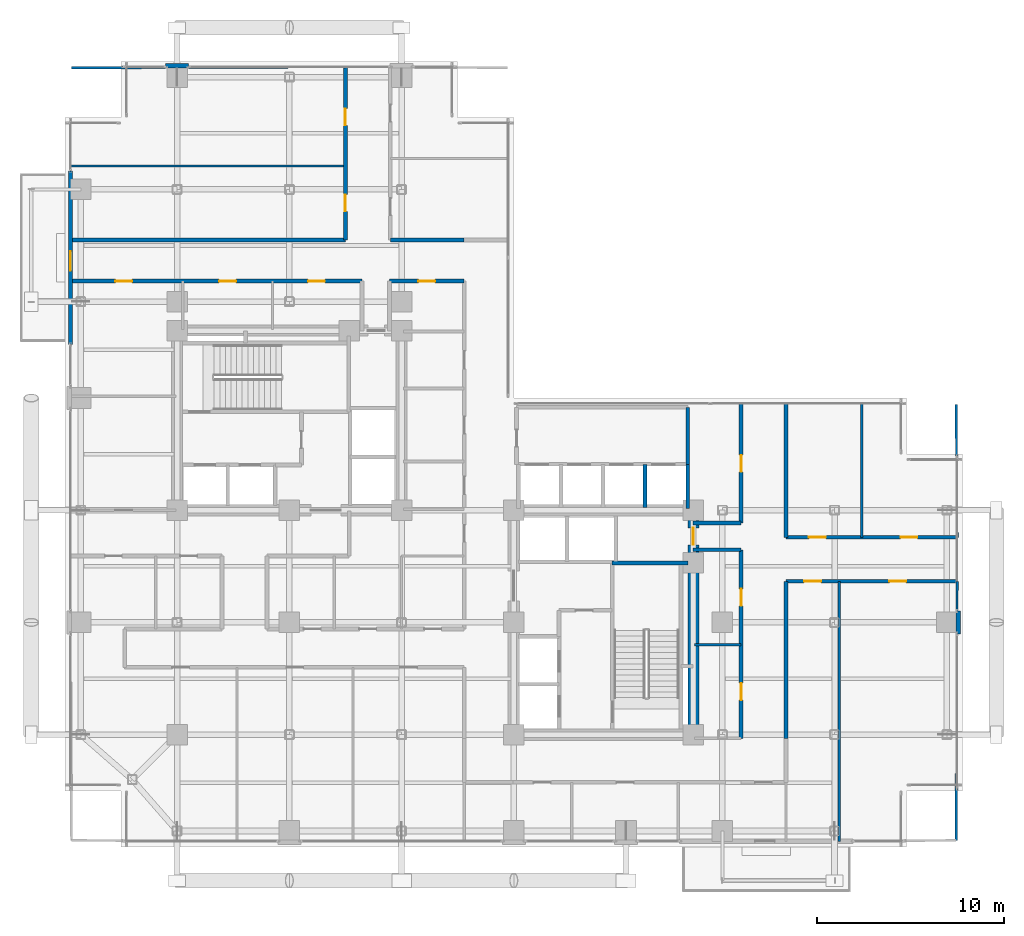
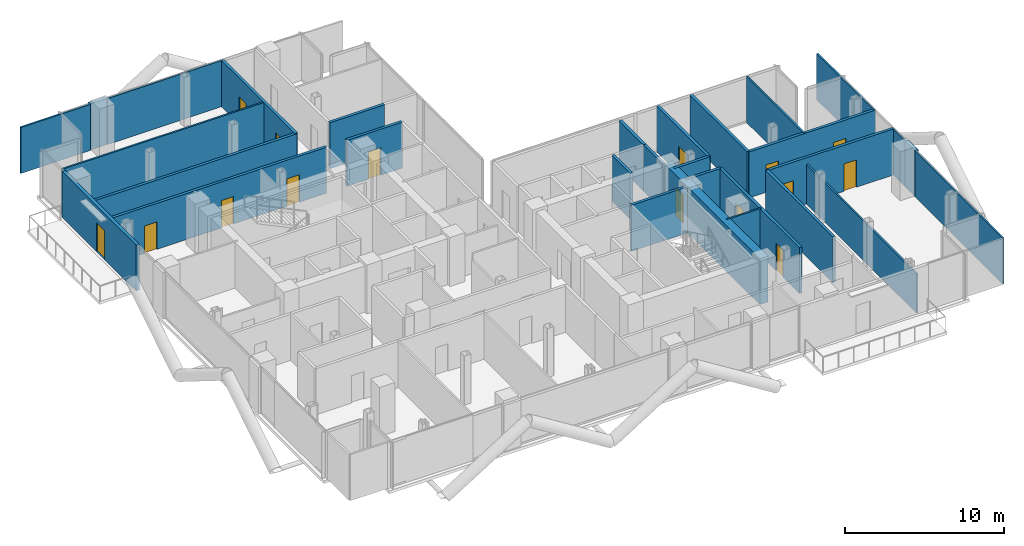
# One storey, part 24 of 28: 30 walls, 15 doors, 15 openings.
"""IFC4 building model written with IfcOpenShell, lengths in metres."""

from ifc_helpers import new_model, si_unit, direction, frame, frame_2d, origin, place, context, subcontext, project, spatial, rectangle, extrude, material, layer, layer_set, type_object, element, fill, save


model = new_model("IFC4")

# Units and contexts
model_context = context("Model", 3, precision=1e-05, world=origin(), true_north=direction((0.0, 1.0)))
body_context = subcontext(model_context, "Body", "Model", "MODEL_VIEW")
ifc_project = project(units=[si_unit("LENGTHUNIT", "METRE"), si_unit("AREAUNIT", "SQUARE_METRE"), si_unit("VOLUMEUNIT", "CUBIC_METRE"), si_unit("PLANEANGLEUNIT", "RADIAN"), si_unit("MASSUNIT", "GRAM", prefix="KILO"), si_unit("THERMODYNAMICTEMPERATUREUNIT", "KELVIN"), si_unit("POWERUNIT", "WATT")], contexts=[model_context])

# Site, building, storey
site_placement = place(None, origin())
site = spatial("IfcSite", under=ifc_project, at=site_placement, CompositionType="ELEMENT")
building_placement = place(site_placement, origin())
building = spatial("IfcBuilding", under=site, at=building_placement, Name="Svarakhadi Broadcast Tower", CompositionType="ELEMENT")
storey_placement = place(building_placement, frame((0.0, 0.0, 149.39990234375)))
storey = spatial("IfcBuildingStorey", under=building, at=storey_placement, Name="L36", CompositionType="ELEMENT", Elevation=149.39990234375)

# Wall, opening, door
ifc_material_1 = material(Name="Concrete C40/50 (IS 456 M50)", Category="concrete")
ifc_layer_1 = layer(ifc_material_1, 0.239990234375)
ifc_layer_set_1 = layer_set([ifc_layer_1], Name="Concrete C40/50 (IS 456 M50)")
wall_type_1 = type_object("IfcWallType", Name="Wall_Ext_240", PredefinedType="SOLIDWALL", material=ifc_layer_set_1)
wall_1_placement = place(storey_placement, frame((0.300048828125, 26.85498046875, 0.0), z_axis=(0.0, 0.0, 1.0), x_axis=(0.0, 1.0, 0.0)))
wall_1 = element("IfcWall", 1, at=wall_1_placement, inside=storey, type_object=wall_type_1, Name="L36 West Tree Balcony Spandrel Wall", PredefinedType="SOLIDWALL", context=body_context, shape_type="SweptSolid", body=[
    extrude(rectangle(XDim=9.2900390625, YDim=0.239990234375, at=frame_2d((4.64501953125, 0.0))), origin(), (0.0, 0.0, 1.0), 3.525146484375),
])
opening_1_placement = place(wall_1_placement, frame((3.945068359375, 0.0, 0.0)))
opening_1 = element("IfcOpeningElement", 2, at=opening_1_placement, cuts=wall_1, Name="Opening ED-05", PredefinedType="OPENING", context=body_context, shape_type="SweptSolid", body=[
    extrude(rectangle(XDim=1.050048828125, YDim=2.199951171875, at=frame_2d((0.52490234375, 1.10009765625))), frame((0.0, 0.1298828125, 0.0), z_axis=(0.0, -1.0, 0.0), x_axis=(1.0, 0.0, 0.0)), (0.0, 0.0, 1.0), 0.260009765625),
])
ifc_material_2 = material(Name="Anodised Bronze Aluminium AA 6063-T6", Category="aluminium")
door_type_1 = type_object("IfcDoorType", Name="Door_Ext_ED05", OperationType="SINGLE_SWING_LEFT", PredefinedType="DOOR", material=ifc_material_2)
door_1_placement = place(opening_1_placement, origin())
door_1 = element("IfcDoor", 3, at=door_1_placement, inside=storey, type_object=door_type_1, Name="L36 West Tree Balcony Door", OperationType="SINGLE_SWING_LEFT", OverallHeight=2.199951171875, OverallWidth=1.050048828125, PredefinedType="DOOR", context=body_context, shape_type="SweptSolid", body=[
    extrude(rectangle(XDim=1.050048828125, YDim=2.199951171875, at=frame_2d((0.52490234375, 1.10009765625))), frame((0.0, 0.02490234375, 0.0), z_axis=(0.0, -1.0, 0.0), x_axis=(1.0, 0.0, 0.0)), (0.0, 0.0, 1.0), 0.050048828125),
])
fill(opening_1, door_1)

# Walls
for number, where, z_axis, x_axis, name in (
    (4, (5.385009765625, 41.760009765625, 0.0), (0.0, 0.0, 1.0), (1.0, 0.0, 0.0), "L36 Perimeter Bronze Spandrel Closure Wall 03"),
    (5, (47.760009765625, 12.614990234375, 0.0), (0.0, 0.0, 1.0), (0.0, -1.0, 0.0), "L36 Perimeter Bronze Spandrel Closure Wall 05"),
):
    element("IfcWall", number, at=place(storey_placement, frame(where, z_axis=z_axis, x_axis=x_axis)), inside=storey, type_object=wall_type_1, Name=name, PredefinedType="SOLIDWALL", context=body_context, shape_type="SweptSolid", body=[
        extrude(rectangle(XDim=1.22998046875, YDim=0.239990234375, at=frame_2d((0.614990234375, 0.0))), origin(), (0.0, 0.0, 1.0), 3.525146484375),
    ])

# Wall, openings, doors
ifc_layer_2 = layer(ifc_material_1, 0.199951171875)
ifc_layer_set_2 = layer_set([ifc_layer_2], Name="Concrete C40/50 (IS 456 M50)")
wall_type_2 = type_object("IfcWallType", Name="Wall_Fire_200", PredefinedType="SOLIDWALL", material=ifc_layer_set_2)
wall_2_placement = place(storey_placement, frame((36.14990234375, 5.800048828125, 0.0), z_axis=(0.0, 0.0, 1.0), x_axis=(0.0, 1.0, 0.0)))
wall_2 = element("IfcWall", 6, at=wall_2_placement, inside=storey, type_object=wall_type_2, Name="L36 Zone 2/3 Corridor Wall", PredefinedType="SOLIDWALL", context=body_context, shape_type="SweptSolid", body=[
    extrude(rectangle(XDim=10.079833984375, YDim=0.199951171875, at=frame_2d((5.0400390625, 0.0))), origin(), (0.0, 0.0, 1.0), 3.525146484375),
])
opening_2_placement = place(wall_2_placement, frame((2.050048828125, 0.0, 0.0)))
opening_2 = element("IfcOpeningElement", 7, at=opening_2_placement, cuts=wall_2, Name="Opening D-15", PredefinedType="OPENING", context=body_context, shape_type="SweptSolid", body=[
    extrude(rectangle(XDim=0.89990234375, YDim=2.10009765625, at=frame_2d((0.449951171875, 1.050048828125))), frame((0.0, 0.10986328125, 0.0), z_axis=(0.0, -1.0, 0.0), x_axis=(1.0, 0.0, 0.0)), (0.0, 0.0, 1.0), 0.219970703125),
])
opening_3_placement = place(wall_2_placement, frame((7.090087890625, 0.0, 0.0)))
opening_3 = element("IfcOpeningElement", 8, at=opening_3_placement, cuts=wall_2, Name="Opening D-15", PredefinedType="OPENING", context=body_context, shape_type="SweptSolid", body=[
    extrude(rectangle(XDim=0.89990234375, YDim=2.10009765625, at=frame_2d((0.449951171875, 1.050048828125))), frame((0.0, 0.10986328125, 0.0), z_axis=(0.0, -1.0, 0.0), x_axis=(1.0, 0.0, 0.0)), (0.0, 0.0, 1.0), 0.219970703125),
])
ifc_material_3 = material(Name="Solid-Core Teak Veneer Acoustic Timber Leaf", Category="wood")
door_type_2 = type_object("IfcDoorType", Name="Door_Int_D15", OperationType="SINGLE_SWING_RIGHT", PredefinedType="DOOR", material=ifc_material_3)
door_2_placement = place(opening_2_placement, origin())
door_2 = element("IfcDoor", 9, at=door_2_placement, inside=storey, type_object=door_type_2, Name="L36 Media Playout Monitoring Office Door", OperationType="SINGLE_SWING_RIGHT", OverallHeight=2.10009765625, OverallWidth=0.89990234375, PredefinedType="DOOR", context=body_context, shape_type="SweptSolid", body=[
    extrude(rectangle(XDim=0.89990234375, YDim=2.10009765625, at=frame_2d((0.449951171875, 1.050048828125))), frame((0.0, 0.02490234375, 0.0), z_axis=(0.0, -1.0, 0.0), x_axis=(1.0, 0.0, 0.0)), (0.0, 0.0, 1.0), 0.050048828125),
])
fill(opening_2, door_2)
door_3_placement = place(opening_3_placement, origin())
door_3 = element("IfcDoor", 10, at=door_3_placement, inside=storey, type_object=door_type_2, Name="L36 Broadcast Ingest Studio Door", OperationType="SINGLE_SWING_RIGHT", OverallHeight=2.10009765625, OverallWidth=0.89990234375, PredefinedType="DOOR", context=body_context, shape_type="SweptSolid", body=[
    extrude(rectangle(XDim=0.89990234375, YDim=2.10009765625, at=frame_2d((0.449951171875, 1.050048828125))), frame((0.0, 0.02490234375, 0.0), z_axis=(0.0, -1.0, 0.0), x_axis=(1.0, 0.0, 0.0)), (0.0, 0.0, 1.0), 0.050048828125),
])
fill(opening_3, door_3)

# Walls
for number, where, z_axis, x_axis, name in (
    (11, (36.14990234375, 15.8798828125, 0.0), (0.0, 0.0, 1.0), (-1.0, 0.0, 0.0), "L36 Zone 2/3 Corridor Wall"),
    (12, (33.580078125, 17.320068359375, 0.0), (0.0, 0.0, 1.0), (1.0, 0.0, 0.0), "L36 Zone 2/3 Corridor Wall"),
):
    element("IfcWall", number, at=place(storey_placement, frame(where, z_axis=z_axis, x_axis=x_axis)), inside=storey, type_object=wall_type_2, Name=name, PredefinedType="SOLIDWALL", context=body_context, shape_type="SweptSolid", body=[
        extrude(rectangle(XDim=2.56982421875, YDim=0.199951171875, at=frame_2d((1.284912109375, 0.0))), origin(), (0.0, 0.0, 1.0), 3.525146484375),
    ])

# Wall, opening, door
wall_3_placement = place(storey_placement, frame((36.14990234375, 17.320068359375, 0.0), z_axis=(0.0, 0.0, 1.0), x_axis=(0.0, 1.0, 0.0)))
wall_3 = element("IfcWall", 13, at=wall_3_placement, inside=storey, type_object=wall_type_2, Name="L36 Zone 2/3 Corridor Wall", PredefinedType="SOLIDWALL", context=body_context, shape_type="SweptSolid", body=[
    extrude(rectangle(XDim=6.3798828125, YDim=0.199951171875, at=frame_2d((3.18994140625, 0.0))), origin(), (0.0, 0.0, 1.0), 3.525146484375),
])
opening_4_placement = place(wall_3_placement, frame((2.72998046875, 0.0, 0.0)))
opening_4 = element("IfcOpeningElement", 14, at=opening_4_placement, cuts=wall_3, Name="Opening D-15", PredefinedType="OPENING", context=body_context, shape_type="SweptSolid", body=[
    extrude(rectangle(XDim=0.89990234375, YDim=2.10009765625, at=frame_2d((0.449951171875, 1.050048828125))), frame((0.0, 0.10986328125, 0.0), z_axis=(0.0, -1.0, 0.0), x_axis=(1.0, 0.0, 0.0)), (0.0, 0.0, 1.0), 0.219970703125),
])
door_4_placement = place(opening_4_placement, origin())
door_4 = element("IfcDoor", 15, at=door_4_placement, inside=storey, type_object=door_type_2, Name="L36 Post-Production Coordination Office Door", OperationType="SINGLE_SWING_RIGHT", OverallHeight=2.10009765625, OverallWidth=0.89990234375, PredefinedType="DOOR", context=body_context, shape_type="SweptSolid", body=[
    extrude(rectangle(XDim=0.89990234375, YDim=2.10009765625, at=frame_2d((0.449951171875, 1.050048828125))), frame((0.0, 0.02490234375, 0.0), z_axis=(0.0, -1.0, 0.0), x_axis=(1.0, 0.0, 0.0)), (0.0, 0.0, 1.0), 0.050048828125),
])
fill(opening_4, door_4)

# Wall
wall_4_placement = place(storey_placement, frame((38.550048828125, 23.699951171875, 0.0), z_axis=(0.0, 0.0, 1.0), x_axis=(0.0, -1.0, 0.0)))
element("IfcWall", 16, at=wall_4_placement, inside=storey, type_object=wall_type_2, Name="L36 Zone 2/3 Corridor Wall", PredefinedType="SOLIDWALL", context=body_context, shape_type="SweptSolid", body=[
    extrude(rectangle(XDim=7.14990234375, YDim=0.199951171875, at=frame_2d((3.574951171875, 0.0))), origin(), (0.0, 0.0, 1.0), 3.525146484375),
])

# Wall, openings, doors
wall_5_placement = place(storey_placement, frame((38.550048828125, 16.550048828125, 0.0), z_axis=(0.0, 0.0, 1.0), x_axis=(1.0, 0.0, 0.0)))
wall_5 = element("IfcWall", 17, at=wall_5_placement, inside=storey, type_object=wall_type_2, Name="L36 Zone 2/3 Corridor Wall", PredefinedType="SOLIDWALL", context=body_context, shape_type="SweptSolid", body=[
    extrude(rectangle(XDim=9.14990234375, YDim=0.199951171875, at=frame_2d((4.574951171875, 0.0))), origin(), (0.0, 0.0, 1.0), 3.525146484375),
])
opening_5_placement = place(wall_5_placement, frame((1.22998046875, 0.0, 0.0)))
opening_5 = element("IfcOpeningElement", 18, at=opening_5_placement, cuts=wall_5, Name="Opening D-14", PredefinedType="OPENING", context=body_context, shape_type="SweptSolid", body=[
    extrude(rectangle(XDim=0.89990234375, YDim=2.10009765625, at=frame_2d((0.449951171875, 1.050048828125))), frame((0.0, 0.10986328125, 0.0), z_axis=(0.0, -1.0, 0.0), x_axis=(1.0, 0.0, 0.0)), (0.0, 0.0, 1.0), 0.219970703125),
])
opening_6_placement = place(wall_5_placement, frame((6.125, 0.0, 0.0)))
opening_6 = element("IfcOpeningElement", 19, at=opening_6_placement, cuts=wall_5, Name="Opening D-15", PredefinedType="OPENING", context=body_context, shape_type="SweptSolid", body=[
    extrude(rectangle(XDim=0.89990234375, YDim=2.10009765625, at=frame_2d((0.449951171875, 1.050048828125))), frame((0.0, 0.10986328125, 0.0), z_axis=(0.0, -1.0, 0.0), x_axis=(1.0, 0.0, 0.0)), (0.0, 0.0, 1.0), 0.219970703125),
])
door_type_3 = type_object("IfcDoorType", Name="Door_Int_D14", OperationType="SINGLE_SWING_LEFT", PredefinedType="DOOR", material=ifc_material_3)
door_5_placement = place(opening_5_placement, origin())
door_5 = element("IfcDoor", 20, at=door_5_placement, inside=storey, type_object=door_type_3, Name="L36 Broadcast Graphics Room Door", OperationType="SINGLE_SWING_LEFT", OverallHeight=2.10009765625, OverallWidth=0.89990234375, PredefinedType="DOOR", context=body_context, shape_type="SweptSolid", body=[
    extrude(rectangle(XDim=0.89990234375, YDim=2.10009765625, at=frame_2d((0.449951171875, 1.050048828125))), frame((0.0, 0.02490234375, 0.0), z_axis=(0.0, -1.0, 0.0), x_axis=(1.0, 0.0, 0.0)), (0.0, 0.0, 1.0), 0.050048828125),
])
fill(opening_5, door_5)
door_6_placement = place(opening_6_placement, origin())
door_6 = element("IfcDoor", 21, at=door_6_placement, inside=storey, type_object=door_type_2, Name="L36 Graphics Workstation Office Door", OperationType="SINGLE_SWING_RIGHT", OverallHeight=2.10009765625, OverallWidth=0.89990234375, PredefinedType="DOOR", context=body_context, shape_type="SweptSolid", body=[
    extrude(rectangle(XDim=0.89990234375, YDim=2.10009765625, at=frame_2d((0.449951171875, 1.050048828125))), frame((0.0, 0.02490234375, 0.0), z_axis=(0.0, -1.0, 0.0), x_axis=(1.0, 0.0, 0.0)), (0.0, 0.0, 1.0), 0.050048828125),
])
fill(opening_6, door_6)

wall_6_placement = place(storey_placement, frame((47.699951171875, 14.199951171875, 0.0), z_axis=(0.0, 0.0, 1.0), x_axis=(-1.0, 0.0, 0.0)))
wall_6 = element("IfcWall", 22, at=wall_6_placement, inside=storey, type_object=wall_type_2, Name="L36 Zone 2/3 Corridor Wall", PredefinedType="SOLIDWALL", context=body_context, shape_type="SweptSolid", body=[
    extrude(rectangle(XDim=9.14990234375, YDim=0.199951171875, at=frame_2d((4.574951171875, 0.0))), origin(), (0.0, 0.0, 1.0), 3.525146484375),
])
opening_7_placement = place(wall_6_placement, frame((7.27490234375, 0.0, 0.0)))
opening_7 = element("IfcOpeningElement", 23, at=opening_7_placement, cuts=wall_6, Name="Opening D-14", PredefinedType="OPENING", context=body_context, shape_type="SweptSolid", body=[
    extrude(rectangle(XDim=0.89990234375, YDim=2.10009765625, at=frame_2d((0.449951171875, 1.050048828125))), frame((0.0, 0.10986328125, 0.0), z_axis=(0.0, -1.0, 0.0), x_axis=(1.0, 0.0, 0.0)), (0.0, 0.0, 1.0), 0.219970703125),
])
opening_8_placement = place(wall_6_placement, frame((2.72509765625, 0.0, 0.0)))
opening_8 = element("IfcOpeningElement", 24, at=opening_8_placement, cuts=wall_6, Name="Opening D-15", PredefinedType="OPENING", context=body_context, shape_type="SweptSolid", body=[
    extrude(rectangle(XDim=0.89990234375, YDim=2.10009765625, at=frame_2d((0.449951171875, 1.050048828125))), frame((0.0, 0.10986328125, 0.0), z_axis=(0.0, -1.0, 0.0), x_axis=(1.0, 0.0, 0.0)), (0.0, 0.0, 1.0), 0.219970703125),
])
door_7_placement = place(opening_7_placement, origin())
door_7 = element("IfcDoor", 25, at=door_7_placement, inside=storey, type_object=door_type_3, Name="L36 Choral Rehearsal Studio Door", OperationType="SINGLE_SWING_LEFT", OverallHeight=2.10009765625, OverallWidth=0.89990234375, PredefinedType="DOOR", context=body_context, shape_type="SweptSolid", body=[
    extrude(rectangle(XDim=0.89990234375, YDim=2.10009765625, at=frame_2d((0.449951171875, 1.050048828125))), frame((0.0, 0.02490234375, 0.0), z_axis=(0.0, -1.0, 0.0), x_axis=(1.0, 0.0, 0.0)), (0.0, 0.0, 1.0), 0.050048828125),
])
fill(opening_7, door_7)
door_8_placement = place(opening_8_placement, origin())
door_8 = element("IfcDoor", 26, at=door_8_placement, inside=storey, type_object=door_type_2, Name="L36 Conductor Study Door", OperationType="SINGLE_SWING_RIGHT", OverallHeight=2.10009765625, OverallWidth=0.89990234375, PredefinedType="DOOR", context=body_context, shape_type="SweptSolid", body=[
    extrude(rectangle(XDim=0.89990234375, YDim=2.10009765625, at=frame_2d((0.449951171875, 1.050048828125))), frame((0.0, 0.02490234375, 0.0), z_axis=(0.0, -1.0, 0.0), x_axis=(1.0, 0.0, 0.0)), (0.0, 0.0, 1.0), 0.050048828125),
])
fill(opening_8, door_8)

# Wall
wall_7_placement = place(storey_placement, frame((38.550048828125, 14.199951171875, 0.0), z_axis=(0.0, 0.0, 1.0), x_axis=(0.0, -1.0, 0.0)))
element("IfcWall", 27, at=wall_7_placement, inside=storey, type_object=wall_type_2, Name="L36 Zone 2/3 Corridor Wall", PredefinedType="SOLIDWALL", context=body_context, shape_type="SweptSolid", body=[
    extrude(rectangle(XDim=8.39990234375, YDim=0.199951171875, at=frame_2d((4.199951171875, 0.0))), origin(), (0.0, 0.0, 1.0), 3.525146484375),
])

# Wall, opening, door
wall_8_placement = place(storey_placement, frame((21.35009765625, 30.25, 0.0), z_axis=(0.0, 0.0, 1.0), x_axis=(-1.0, 0.0, 0.0)))
wall_8 = element("IfcWall", 28, at=wall_8_placement, inside=storey, type_object=wall_type_2, Name="L36 Zone 2/3 Corridor Wall", PredefinedType="SOLIDWALL", context=body_context, shape_type="SweptSolid", body=[
    extrude(rectangle(XDim=4.0, YDim=0.199951171875, at=frame_2d((2.0, 0.0))), origin(), (0.0, 0.0, 1.0), 3.525146484375),
])
opening_9_placement = place(wall_8_placement, frame((1.550048828125, 0.0, 0.0)))
opening_9 = element("IfcOpeningElement", 29, at=opening_9_placement, cuts=wall_8, Name="Opening D-14", PredefinedType="OPENING", context=body_context, shape_type="SweptSolid", body=[
    extrude(rectangle(XDim=0.89990234375, YDim=2.10009765625, at=frame_2d((0.449951171875, 1.050048828125))), frame((0.0, 0.10986328125, 0.0), z_axis=(0.0, -1.0, 0.0), x_axis=(1.0, 0.0, 0.0)), (0.0, 0.0, 1.0), 0.219970703125),
])
door_9_placement = place(opening_9_placement, origin())
door_9 = element("IfcDoor", 30, at=door_9_placement, inside=storey, type_object=door_type_3, Name="L36 Media Continuity Study Door", OperationType="SINGLE_SWING_LEFT", OverallHeight=2.10009765625, OverallWidth=0.89990234375, PredefinedType="DOOR", context=body_context, shape_type="SweptSolid", body=[
    extrude(rectangle(XDim=0.89990234375, YDim=2.10009765625, at=frame_2d((0.449951171875, 1.050048828125))), frame((0.0, 0.02490234375, 0.0), z_axis=(0.0, -1.0, 0.0), x_axis=(1.0, 0.0, 0.0)), (0.0, 0.0, 1.0), 0.050048828125),
])
fill(opening_9, door_9)

# Wall, openings, doors
wall_9_placement = place(storey_placement, frame((15.8798828125, 30.25, 0.0), z_axis=(0.0, 0.0, 1.0), x_axis=(-1.0, 0.0, 0.0)))
wall_9 = element("IfcWall", 31, at=wall_9_placement, inside=storey, type_object=wall_type_2, Name="L36 Zone 2/3 Corridor Wall", PredefinedType="SOLIDWALL", context=body_context, shape_type="SweptSolid", body=[
    extrude(rectangle(XDim=15.579833984375, YDim=0.199951171875, at=frame_2d((7.7900390625, 0.0))), origin(), (0.0, 0.0, 1.0), 3.525146484375),
])
opening_10_placement = place(wall_9_placement, frame((12.280029296875, 0.0, 0.0)))
opening_10 = element("IfcOpeningElement", 32, at=opening_10_placement, cuts=wall_9, Name="Opening D-14", PredefinedType="OPENING", context=body_context, shape_type="SweptSolid", body=[
    extrude(rectangle(XDim=0.89990234375, YDim=2.10009765625, at=frame_2d((0.449951171875, 1.050048828125))), frame((0.0, 0.10986328125, 0.0), z_axis=(0.0, -1.0, 0.0), x_axis=(1.0, 0.0, 0.0)), (0.0, 0.0, 1.0), 0.219970703125),
])
opening_11_placement = place(wall_9_placement, frame((6.72998046875, 0.0, 0.0)))
opening_11 = element("IfcOpeningElement", 33, at=opening_11_placement, cuts=wall_9, Name="Opening D-15", PredefinedType="OPENING", context=body_context, shape_type="SweptSolid", body=[
    extrude(rectangle(XDim=0.89990234375, YDim=2.10009765625, at=frame_2d((0.449951171875, 1.050048828125))), frame((0.0, 0.10986328125, 0.0), z_axis=(0.0, -1.0, 0.0), x_axis=(1.0, 0.0, 0.0)), (0.0, 0.0, 1.0), 0.219970703125),
])
opening_12_placement = place(wall_9_placement, frame((1.97998046875, 0.0, 0.0)))
opening_12 = element("IfcOpeningElement", 34, at=opening_12_placement, cuts=wall_9, Name="Opening D-14", PredefinedType="OPENING", context=body_context, shape_type="SweptSolid", body=[
    extrude(rectangle(XDim=0.89990234375, YDim=2.10009765625, at=frame_2d((0.449951171875, 1.050048828125))), frame((0.0, 0.10986328125, 0.0), z_axis=(0.0, -1.0, 0.0), x_axis=(1.0, 0.0, 0.0)), (0.0, 0.0, 1.0), 0.219970703125),
])
door_10_placement = place(opening_10_placement, origin())
door_10 = element("IfcDoor", 35, at=door_10_placement, inside=storey, type_object=door_type_3, Name="L36 Sunset Horizon Screening Room Door", OperationType="SINGLE_SWING_LEFT", OverallHeight=2.10009765625, OverallWidth=0.89990234375, PredefinedType="DOOR", context=body_context, shape_type="SweptSolid", body=[
    extrude(rectangle(XDim=0.89990234375, YDim=2.10009765625, at=frame_2d((0.449951171875, 1.050048828125))), frame((0.0, 0.02490234375, 0.0), z_axis=(0.0, -1.0, 0.0), x_axis=(1.0, 0.0, 0.0)), (0.0, 0.0, 1.0), 0.050048828125),
])
fill(opening_10, door_10)
door_11_placement = place(opening_12_placement, origin())
door_11 = element("IfcDoor", 36, at=door_11_placement, inside=storey, type_object=door_type_3, Name="L36 Editorial Color Grading Pod Door", OperationType="SINGLE_SWING_LEFT", OverallHeight=2.10009765625, OverallWidth=0.89990234375, PredefinedType="DOOR", context=body_context, shape_type="SweptSolid", body=[
    extrude(rectangle(XDim=0.89990234375, YDim=2.10009765625, at=frame_2d((0.449951171875, 1.050048828125))), frame((0.0, 0.02490234375, 0.0), z_axis=(0.0, -1.0, 0.0), x_axis=(1.0, 0.0, 0.0)), (0.0, 0.0, 1.0), 0.050048828125),
])
fill(opening_12, door_11)
door_12_placement = place(opening_11_placement, origin())
door_12 = element("IfcDoor", 37, at=door_12_placement, inside=storey, type_object=door_type_2, Name="L36 Acoustic Dubbing Booth Door", OperationType="SINGLE_SWING_RIGHT", OverallHeight=2.10009765625, OverallWidth=0.89990234375, PredefinedType="DOOR", context=body_context, shape_type="SweptSolid", body=[
    extrude(rectangle(XDim=0.89990234375, YDim=2.10009765625, at=frame_2d((0.449951171875, 1.050048828125))), frame((0.0, 0.02490234375, 0.0), z_axis=(0.0, -1.0, 0.0), x_axis=(1.0, 0.0, 0.0)), (0.0, 0.0, 1.0), 0.050048828125),
])
fill(opening_11, door_12)

# Wall
wall_10_placement = place(storey_placement, frame((0.300048828125, 32.449951171875, 0.0), z_axis=(0.0, 0.0, 1.0), x_axis=(1.0, 0.0, 0.0)))
element("IfcWall", 38, at=wall_10_placement, inside=storey, type_object=wall_type_2, Name="L36 Zone 2/3 Corridor Wall", PredefinedType="SOLIDWALL", context=body_context, shape_type="SweptSolid", body=[
    extrude(rectangle(XDim=14.699951171875, YDim=0.199951171875, at=frame_2d((7.35009765625, 0.0))), origin(), (0.0, 0.0, 1.0), 3.525146484375),
])

# Wall, openings, doors
wall_11_placement = place(storey_placement, frame((15.0, 32.449951171875, 0.0), z_axis=(0.0, 0.0, 1.0), x_axis=(0.0, 1.0, 0.0)))
wall_11 = element("IfcWall", 39, at=wall_11_placement, inside=storey, type_object=wall_type_2, Name="L36 Zone 2/3 Corridor Wall", PredefinedType="SOLIDWALL", context=body_context, shape_type="SweptSolid", body=[
    extrude(rectangle(XDim=9.25, YDim=0.199951171875, at=frame_2d((4.625, 0.0))), origin(), (0.0, 0.0, 1.0), 3.525146484375),
])
opening_13_placement = place(wall_11_placement, frame((1.52490234375, 0.0, 0.0)))
opening_13 = element("IfcOpeningElement", 40, at=opening_13_placement, cuts=wall_11, Name="Opening D-15", PredefinedType="OPENING", context=body_context, shape_type="SweptSolid", body=[
    extrude(rectangle(XDim=0.89990234375, YDim=2.10009765625, at=frame_2d((0.449951171875, 1.050048828125))), frame((0.0, 0.10986328125, 0.0), z_axis=(0.0, -1.0, 0.0), x_axis=(1.0, 0.0, 0.0)), (0.0, 0.0, 1.0), 0.219970703125),
])
opening_14_placement = place(wall_11_placement, frame((6.125, 0.0, 0.0)))
opening_14 = element("IfcOpeningElement", 41, at=opening_14_placement, cuts=wall_11, Name="Opening D-14", PredefinedType="OPENING", context=body_context, shape_type="SweptSolid", body=[
    extrude(rectangle(XDim=0.89990234375, YDim=2.10009765625, at=frame_2d((0.449951171875, 1.050048828125))), frame((0.0, 0.10986328125, 0.0), z_axis=(0.0, -1.0, 0.0), x_axis=(1.0, 0.0, 0.0)), (0.0, 0.0, 1.0), 0.219970703125),
])
door_13_placement = place(opening_14_placement, origin())
door_13 = element("IfcDoor", 42, at=door_13_placement, inside=storey, type_object=door_type_3, Name="L36 Audio Mastering Media Room Door", OperationType="SINGLE_SWING_LEFT", OverallHeight=2.10009765625, OverallWidth=0.89990234375, PredefinedType="DOOR", context=body_context, shape_type="SweptSolid", body=[
    extrude(rectangle(XDim=0.89990234375, YDim=2.10009765625, at=frame_2d((0.449951171875, 1.050048828125))), frame((0.0, 0.02490234375, 0.0), z_axis=(0.0, -1.0, 0.0), x_axis=(1.0, 0.0, 0.0)), (0.0, 0.0, 1.0), 0.050048828125),
])
fill(opening_14, door_13)
door_14_placement = place(opening_13_placement, origin())
door_14 = element("IfcDoor", 43, at=door_14_placement, inside=storey, type_object=door_type_2, Name="L36 Musicians Dining Pantry Door", OperationType="SINGLE_SWING_RIGHT", OverallHeight=2.10009765625, OverallWidth=0.89990234375, PredefinedType="DOOR", context=body_context, shape_type="SweptSolid", body=[
    extrude(rectangle(XDim=0.89990234375, YDim=2.10009765625, at=frame_2d((0.449951171875, 1.050048828125))), frame((0.0, 0.02490234375, 0.0), z_axis=(0.0, -1.0, 0.0), x_axis=(1.0, 0.0, 0.0)), (0.0, 0.0, 1.0), 0.050048828125),
])
fill(opening_13, door_14)

# Walls
wall_12_placement = place(storey_placement, frame((17.39990234375, 32.449951171875, 0.0), z_axis=(0.0, 0.0, 1.0), x_axis=(1.0, 0.0, 0.0)))
element("IfcWall", 44, at=wall_12_placement, inside=storey, type_object=wall_type_2, Name="L36 Zone 2/3 Corridor Wall", PredefinedType="SOLIDWALL", context=body_context, shape_type="SweptSolid", body=[
    extrude(rectangle(XDim=3.9501953125, YDim=0.199951171875, at=frame_2d((1.97509765625, 0.0))), origin(), (0.0, 0.0, 1.0), 3.525146484375),
])
ifc_material_4 = material(Name="Fire-Rated Moisture-Resistant Gypsum Board Partition", Category="gypsum")
ifc_layer_3 = layer(ifc_material_4, 0.125)
ifc_layer_set_3 = layer_set([ifc_layer_3], Name="Fire-Rated Moisture-Resistant Gypsum Board Partition")
wall_type_3 = type_object("IfcWallType", Name="Wall_Part_125", PredefinedType="PARTITIONING", material=ifc_layer_set_3)
wall_13_placement = place(storey_placement, frame((33.64990234375, 10.800048828125, 0.0), z_axis=(0.0, 0.0, 1.0), x_axis=(1.0, 0.0, 0.0)))
element("IfcWall", 45, at=wall_13_placement, inside=storey, type_object=wall_type_3, Name="L36 Media Playout Monitoring Office Wall", PredefinedType="PARTITIONING", context=body_context, shape_type="SweptSolid", body=[
    extrude(rectangle(XDim=2.5, YDim=0.125, at=frame_2d((1.25, 0.0))), origin(), (0.0, 0.0, 1.0), 3.525146484375),
])
wall_14_placement = place(storey_placement, frame((41.39990234375, 0.300048828125, 0.0), z_axis=(0.0, 0.0, 1.0), x_axis=(0.0, 1.0, 0.0)))
element("IfcWall", 46, at=wall_14_placement, inside=storey, type_object=wall_type_3, Name="L36 Choral Rehearsal Studio Wall", PredefinedType="PARTITIONING", context=body_context, shape_type="SweptSolid", body=[
    extrude(rectangle(XDim=13.89990234375, YDim=0.125, at=frame_2d((6.949951171875, 0.0))), origin(), (0.0, 0.0, 1.0), 3.01708984375),
])
wall_15_placement = place(storey_placement, frame((47.64990234375, 0.35009765625, 0.0), z_axis=(0.0, 0.0, 1.0), x_axis=(0.003606251025, 0.999993497456, 0.0)))
element("IfcWall", 47, at=wall_15_placement, inside=storey, type_object=wall_type_3, Name="L36 Conductor Study Wall", PredefinedType="PARTITIONING", context=body_context, shape_type="SweptSolid", body=[
    extrude(rectangle(XDim=11.034912109375, YDim=0.125, at=frame_2d((5.517578125, 0.0))), origin(), (0.0, 0.0, 1.0), 3.525146484375),
])
wall_16_placement = place(storey_placement, frame((47.6943359375, 12.614990234375, 0.0), z_axis=(0.0, 0.0, 1.0), x_axis=(0.003542799701, 0.999993724265, 0.0)))
element("IfcWall", 48, at=wall_16_placement, inside=storey, type_object=wall_type_3, Name="L36 Conductor Study Wall", PredefinedType="PARTITIONING", context=body_context, shape_type="SweptSolid", body=[
    extrude(rectangle(XDim=1.5849609375, YDim=0.125, at=frame_2d((0.79248046875, 0.0))), origin(), (0.0, 0.0, 1.0), 3.525146484375),
])
wall_17_placement = place(storey_placement, frame((42.60009765625, 16.550048828125, 0.0), z_axis=(0.0, 0.0, 1.0), x_axis=(0.0, 1.0, 0.0)))
element("IfcWall", 49, at=wall_17_placement, inside=storey, type_object=wall_type_3, Name="L36 Broadcast Graphics Room Wall", PredefinedType="PARTITIONING", context=body_context, shape_type="SweptSolid", body=[
    extrude(rectangle(XDim=7.14990234375, YDim=0.125, at=frame_2d((3.574951171875, 0.0))), origin(), (0.0, 0.0, 1.0), 3.525146484375),
])
wall_18_placement = place(storey_placement, frame((47.699951171875, 16.550048828125, 0.0), z_axis=(0.0, 0.0, 1.0), x_axis=(-0.007049101019, 0.999975154779, 0.0)))
element("IfcWall", 50, at=wall_18_placement, inside=storey, type_object=wall_type_3, Name="L36 Graphics Workstation Office Wall", PredefinedType="PARTITIONING", context=body_context, shape_type="SweptSolid", body=[
    extrude(rectangle(XDim=7.10009765625, YDim=0.125, at=frame_2d((3.550048828125, 0.0))), origin(), (0.0, 0.0, 1.0), 3.525146484375),
])
wall_19_placement = place(storey_placement, frame((0.300048828125, 36.39990234375, 0.0), z_axis=(0.0, 0.0, 1.0), x_axis=(1.0, 0.0, 0.0)))
element("IfcWall", 51, at=wall_19_placement, inside=storey, type_object=wall_type_3, Name="L36 Musicians Dining Pantry Wall", PredefinedType="PARTITIONING", context=body_context, shape_type="SweptSolid", body=[
    extrude(rectangle(XDim=14.699951171875, YDim=0.125, at=frame_2d((7.35009765625, 0.0))), origin(), (0.0, 0.0, 1.0), 3.525146484375),
])
wall_20_placement = place(storey_placement, frame((0.35009765625, 41.64990234375, 0.0), z_axis=(0.0, 0.0, 1.0), x_axis=(0.999994073761, 0.003442737683, 0.0)))
element("IfcWall", 52, at=wall_20_placement, inside=storey, type_object=wall_type_3, Name="L36 Audio Mastering Media Room Wall", PredefinedType="PARTITIONING", context=body_context, shape_type="SweptSolid", body=[
    extrude(rectangle(XDim=5.034912109375, YDim=0.125, at=frame_2d((2.517578125, 0.0))), origin(), (0.0, 0.0, 1.0), 3.525146484375),
])
wall_21_placement = place(storey_placement, frame((6.614990234375, 41.67138671875, 0.0), z_axis=(0.0, 0.0, 1.0), x_axis=(0.999994197557, 0.003406589638, 0.0)))
element("IfcWall", 53, at=wall_21_placement, inside=storey, type_object=wall_type_3, Name="L36 Audio Mastering Media Room Wall", PredefinedType="PARTITIONING", context=body_context, shape_type="SweptSolid", body=[
    extrude(rectangle(XDim=8.385009765625, YDim=0.125, at=frame_2d((4.1923828125, 0.0))), origin(), (0.0, 0.0, 1.0), 3.525146484375),
])
ifc_material_5 = material(Name="Concrete C50/60 (IS 456 M60)", Category="concrete")
ifc_layer_4 = layer(ifc_material_5, 0.199951171875)
ifc_layer_set_4 = layer_set([ifc_layer_4], Name="Concrete C50/60 (IS 456 M60)")
wall_type_4 = type_object("IfcWallType", Name="Wall_Shear_200", PredefinedType="SHEAR", material=ifc_layer_set_4)
wall_22_placement = place(storey_placement, frame((29.260009765625, 15.179931640625, 0.0), z_axis=(0.0, 0.0, 1.0), x_axis=(1.0, 0.0, 0.0)))
element("IfcWall", 54, at=wall_22_placement, inside=storey, type_object=wall_type_4, Name="L36 Stair ST-02 North RC Shaft Wall", PredefinedType="SHEAR", context=body_context, shape_type="SweptSolid", body=[
    extrude(rectangle(XDim=4.0400390625, YDim=0.199951171875, at=frame_2d((2.02001953125, 0.0))), origin(), (0.0, 0.0, 1.0), 3.525146484375),
])
wall_23_placement = place(storey_placement, frame((33.300048828125, 18.10009765625, 0.0), z_axis=(0.0, 0.0, 1.0), x_axis=(0.0, 1.0, 0.0)))
element("IfcWall", 55, at=wall_23_placement, inside=storey, type_object=wall_type_4, Name="L36 Bank B East Shaft Wall", PredefinedType="SHEAR", context=body_context, shape_type="SweptSolid", body=[
    extrude(rectangle(XDim=2.349853515625, YDim=0.199951171875, at=frame_2d((1.1748046875, 0.0))), origin(), (0.0, 0.0, 1.0), 3.525146484375),
])
wall_24_placement = place(storey_placement, frame((31.02001953125, 18.14990234375, 0.0), z_axis=(0.0, 0.0, 1.0), x_axis=(0.0, 1.0, 0.0)))
element("IfcWall", 56, at=wall_24_placement, inside=storey, type_object=wall_type_4, Name="L36 Bank B Divider", PredefinedType="SHEAR", context=body_context, shape_type="SweptSolid", body=[
    extrude(rectangle(XDim=2.300048828125, YDim=0.199951171875, at=frame_2d((1.14990234375, 0.0))), origin(), (0.0, 0.0, 1.0), 3.525146484375),
])
wall_25_placement = place(storey_placement, frame((33.300048828125, 20.449951171875, 0.0), z_axis=(0.0, 0.0, 1.0), x_axis=(0.0, 1.0, 0.0)))
element("IfcWall", 57, at=wall_25_placement, inside=storey, type_object=wall_type_4, Name="L36 Bank B Lift Hall East Wall", PredefinedType="SHEAR", context=body_context, shape_type="SweptSolid", body=[
    extrude(rectangle(XDim=3.050048828125, YDim=0.199951171875, at=frame_2d((1.52490234375, 0.0))), origin(), (0.0, 0.0, 1.0), 3.525146484375),
])

# Wall, opening, door
ifc_material_6 = material(Name="Concrete C60/75 (IS 456 M70)", Category="concrete")
ifc_layer_5 = layer(ifc_material_6, 0.60009765625)
ifc_layer_set_5 = layer_set([ifc_layer_5], Name="Concrete C60/75 (IS 456 M70)")
wall_type_5 = type_object("IfcWallType", Name="Wall_Shear_600", PredefinedType="SHEAR", material=ifc_layer_set_5)
wall_26_placement = place(storey_placement, frame((33.60009765625, 6.0, 0.0), z_axis=(0.0, 0.0, 1.0), x_axis=(0.0, 1.0, 0.0)))
wall_26 = element("IfcWall", 58, at=wall_26_placement, inside=storey, type_object=wall_type_5, Name="L36 East Core East Shear Wall", PredefinedType="SHEAR", context=body_context, shape_type="SweptSolid", body=[
    extrude(rectangle(XDim=12.0, YDim=0.60009765625, at=frame_2d((6.0, 0.0))), origin(), (0.0, 0.0, 1.0), 3.525146484375),
])
opening_15_placement = place(wall_26_placement, frame((10.14990234375, 0.0, 0.0)))
opening_15 = element("IfcOpeningElement", 59, at=opening_15_placement, cuts=wall_26, Name="Opening D-04", PredefinedType="OPENING", context=body_context, shape_type="SweptSolid", body=[
    extrude(rectangle(XDim=0.89990234375, YDim=2.14990234375, at=frame_2d((0.449951171875, 1.074951171875))), frame((0.0, 0.31005859375, 0.0), z_axis=(0.0, -1.0, 0.0), x_axis=(1.0, 0.0, 0.0)), (0.0, 0.0, 1.0), 0.6201171875),
])
ifc_material_7 = material(Name="Galvanised Powder-Coated Fire-Rated Steel Leaf", Category="steel")
door_type_4 = type_object("IfcDoorType", Name="Door_Fire_D04", OperationType="SINGLE_SWING_RIGHT", PredefinedType="DOOR", material=ifc_material_7)
door_15_placement = place(opening_15_placement, origin())
door_15 = element("IfcDoor", 60, at=door_15_placement, inside=storey, type_object=door_type_4, Name="L36 Core Service Room East Door", OperationType="SINGLE_SWING_RIGHT", OverallHeight=2.14990234375, OverallWidth=0.89990234375, PredefinedType="DOOR", context=body_context, shape_type="SweptSolid", body=[
    extrude(rectangle(XDim=0.89990234375, YDim=2.14990234375, at=frame_2d((0.449951171875, 1.074951171875))), frame((0.0, 0.02490234375, 0.0), z_axis=(0.0, -1.0, 0.0), x_axis=(1.0, 0.0, 0.0)), (0.0, 0.0, 1.0), 0.050048828125),
])
fill(opening_15, door_15)

save(model, "model.ifc")
